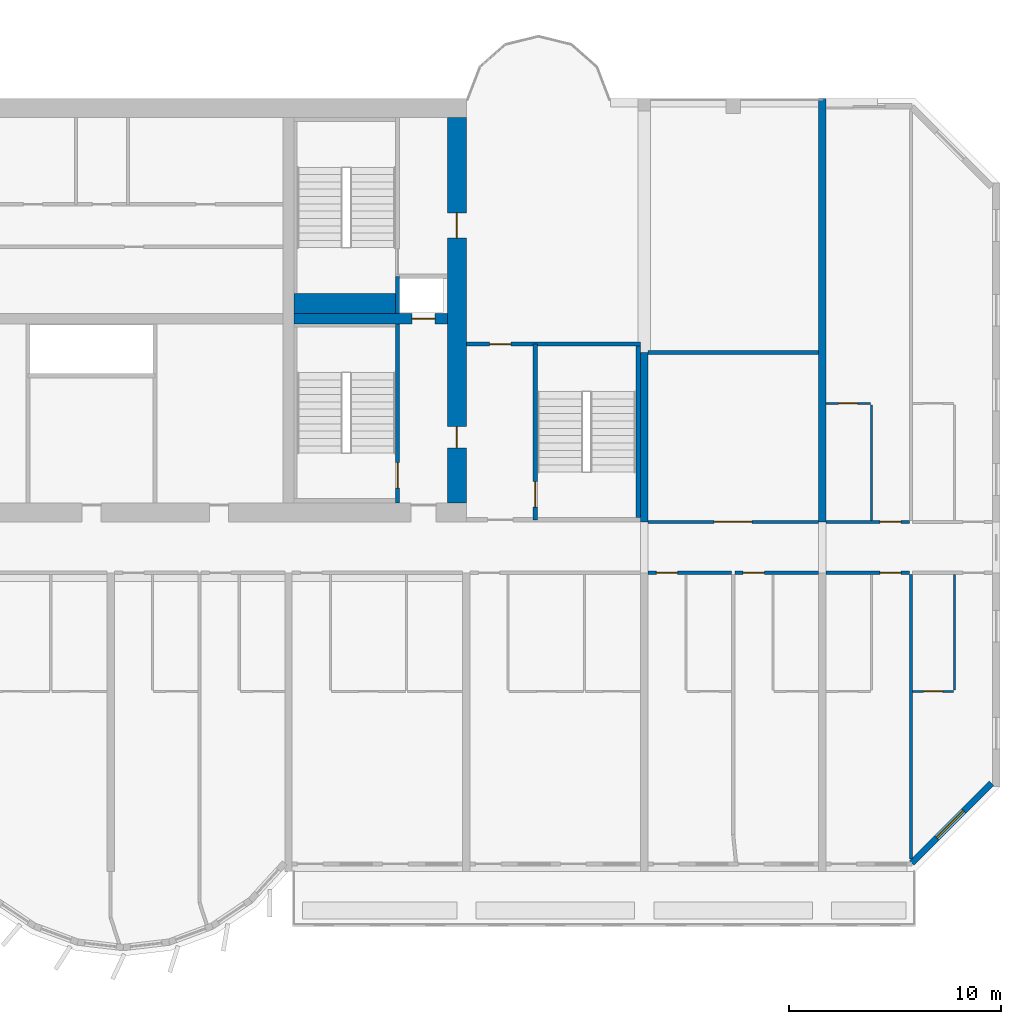
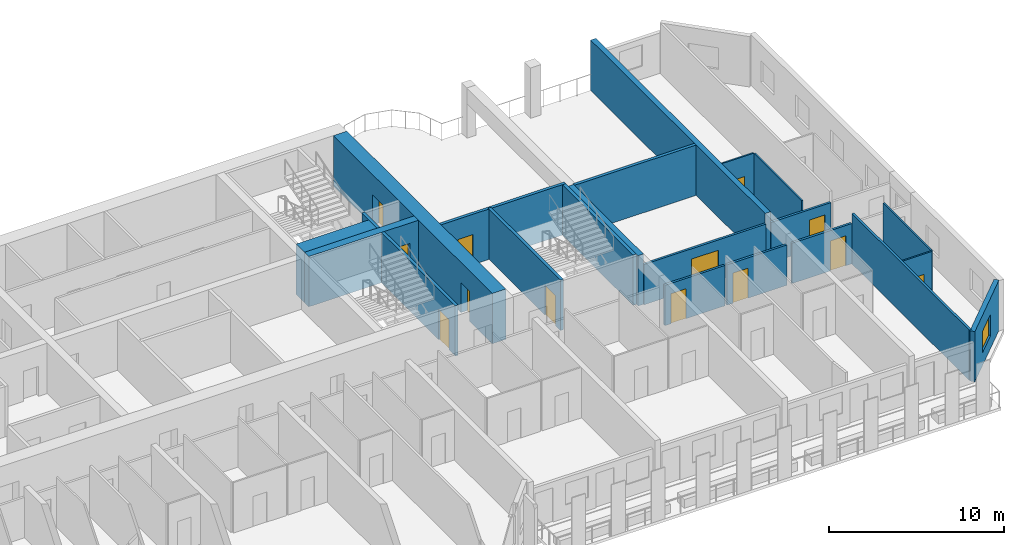
# One storey, part 10 of 15: 22 walls, 13 doors, 1 window, 14 openings.
"""IFC4 building model written with IfcOpenShell, lengths in metres."""

from ifc_helpers import new_model, si_unit, direction, frame, frame_2d, origin, place, context, subcontext, project, spatial, rectangle, extrude, source, transform, mapped, material, layer, layer_set, type_object, element, fill, save


model = new_model("IFC4")

# Units and contexts
model_context = context("Model", 3, precision=1e-05, world=origin(), true_north=direction((0.0, 1.0)))
body_context = subcontext(model_context, "Body", "Model", "MODEL_VIEW")
ifc_project = project(units=[si_unit("LENGTHUNIT", "METRE"), si_unit("AREAUNIT", "SQUARE_METRE"), si_unit("VOLUMEUNIT", "CUBIC_METRE"), si_unit("PLANEANGLEUNIT", "RADIAN"), si_unit("MASSUNIT", "GRAM", prefix="KILO")], contexts=[model_context])

# Site, building, storey
site_placement = place(None, origin())
site = spatial("IfcSite", under=ifc_project, at=site_placement, CompositionType="ELEMENT")
building_placement = place(site_placement, origin())
building = spatial("IfcBuilding", under=site, at=building_placement, Name="Vanashikhar Sky Hotel", CompositionType="ELEMENT")
storey_placement = place(building_placement, frame((0.0, 0.0, 106.60009765625)))
storey = spatial("IfcBuildingStorey", under=building, at=storey_placement, Name="L25", CompositionType="ELEMENT", Elevation=106.60009765625)

# Wall, openings, doors
ifc_material_1 = material(Name="Concrete M70", Category="concrete")
ifc_layer_1 = layer(ifc_material_1, 0.89990234375)
ifc_layer_set_1 = layer_set([ifc_layer_1], Name="RC core shell wall 900 Concrete M70")
wall_type_1 = type_object("IfcWallType", Name="RC core shell wall 900 Concrete M70", PredefinedType="SHEAR", material=ifc_layer_set_1)
shared_shape_1 = source(origin(), body_context, "Body", "SweptSolid", [
    extrude(rectangle(XDim=18.2001953125, YDim=0.89990234375, at=frame_2d((9.10009765625, 0.0))), origin(), (0.0, 0.0, 1.0), 3.52001953125),
])
wall_1_placement = place(storey_placement, frame((75.14990234375, 22.89990234375, 0.0), z_axis=(0.0, 0.0, 1.0), x_axis=(0.0, 1.0, 0.0)))
wall_1 = element("IfcWall", 1, at=wall_1_placement, inside=storey, type_object=wall_type_1, Name="KW-L25-KE", PredefinedType="SHEAR", context=body_context, shape_type="MappedRepresentation", body=[
    mapped(shared_shape_1, transform((0.0, 0.0, 0.0), scale=1.0)),
])
shared_shape_2 = source(origin(), body_context, "Body", "SweptSolid", [
    extrude(rectangle(XDim=1.0, YDim=2.10009765625, at=frame_2d((0.5, 1.050048828125))), frame((0.0, 0.4599609375, 0.0), z_axis=(0.0, -1.0, 0.0), x_axis=(1.0, 0.0, 0.0)), (0.0, 0.0, 1.0), 0.919921875),
])
opening_1_placement = place(wall_1_placement, frame((2.60009765625, 0.0, 0.0)))
opening_1 = element("IfcOpeningElement", 2, at=opening_1_placement, cuts=wall_1, Name="Opening DC-5", PredefinedType="OPENING", context=body_context, shape_type="MappedRepresentation", body=[
    mapped(shared_shape_2, transform((0.0, 0.0, 0.0), scale=1.0)),
])
shared_shape_3 = source(origin(), body_context, "Body", "SweptSolid", [
    extrude(rectangle(XDim=1.199951171875, YDim=2.10009765625, at=frame_2d((0.60009765625, 1.050048828125))), frame((0.0, 0.4599609375, 0.0), z_axis=(0.0, -1.0, 0.0), x_axis=(1.0, 0.0, 0.0)), (0.0, 0.0, 1.0), 0.919921875),
])
opening_2_placement = place(wall_1_placement, frame((12.5, 0.0, 0.0)))
opening_2 = element("IfcOpeningElement", 3, at=opening_2_placement, cuts=wall_1, Name="Opening DC-4-D", PredefinedType="OPENING", context=body_context, shape_type="MappedRepresentation", body=[
    mapped(shared_shape_3, transform((0.0, 0.0, 0.0), scale=1.0)),
])
ifc_material_2 = material(Name="Steel", Category="steel")
door_type_1 = type_object("IfcDoorType", Name="Refuge door 1000 FD120", OperationType="NOTDEFINED", PredefinedType="DOOR", material=ifc_material_2)
shared_shape_4 = source(origin(), body_context, "Body", "SweptSolid", [
    extrude(rectangle(XDim=1.0, YDim=2.10009765625, at=frame_2d((0.5, 1.050048828125))), frame((0.0, 0.02490234375, 0.0), z_axis=(0.0, -1.0, 0.0), x_axis=(1.0, 0.0, 0.0)), (0.0, 0.0, 1.0), 0.050048828125),
])
door_1_placement = place(opening_1_placement, origin())
door_1 = element("IfcDoor", 4, at=door_1_placement, inside=storey, type_object=door_type_1, Name="Refuge door 1000 FD120", OperationType="SINGLE_SWING_LEFT", OverallHeight=2.10009765625, OverallWidth=1.0, PredefinedType="DOOR", context=body_context, shape_type="MappedRepresentation", body=[
    mapped(shared_shape_4, transform((0.0, 0.0, 0.0), scale=1.0)),
])
fill(opening_1, door_1)
door_type_2 = type_object("IfcDoorType", Name="Service door 1200 FD120", OperationType="NOTDEFINED", PredefinedType="DOOR", material=ifc_material_2)
shared_shape_5 = source(origin(), body_context, "Body", "SweptSolid", [
    extrude(rectangle(XDim=1.199951171875, YDim=2.10009765625, at=frame_2d((0.60009765625, 1.050048828125))), frame((0.0, 0.02490234375, 0.0), z_axis=(0.0, -1.0, 0.0), x_axis=(1.0, 0.0, 0.0)), (0.0, 0.0, 1.0), 0.050048828125),
])
door_2_placement = place(opening_2_placement, origin())
door_2 = element("IfcDoor", 5, at=door_2_placement, inside=storey, type_object=door_type_2, Name="Service door 1200 FD120", OperationType="SINGLE_SWING_LEFT", OverallHeight=2.10009765625, OverallWidth=1.199951171875, PredefinedType="DOOR", context=body_context, shape_type="MappedRepresentation", body=[
    mapped(shared_shape_5, transform((0.0, 0.0, 0.0), scale=1.0)),
])
fill(opening_2, door_2)

# Wall, opening, door
ifc_layer_2 = layer(ifc_material_1, 0.5)
ifc_layer_set_2 = layer_set([ifc_layer_2], Name="RC core inner wall 500 Concrete M70")
wall_type_2 = type_object("IfcWallType", Name="RC core inner wall 500 Concrete M70", PredefinedType="SHEAR", material=ifc_layer_set_2)
shared_shape_6 = source(origin(), body_context, "Body", "SweptSolid", [
    extrude(rectangle(XDim=7.25, YDim=0.5, at=frame_2d((3.625, 0.0))), origin(), (0.0, 0.0, 1.0), 3.52001953125),
])
wall_2_placement = place(storey_placement, frame((67.449951171875, 31.60009765625, 0.0), z_axis=(0.0, 0.0, 1.0), x_axis=(1.0, 0.0, 0.0)))
wall_2 = element("IfcWall", 6, at=wall_2_placement, inside=storey, type_object=wall_type_2, Name="KW-L25-KY4", PredefinedType="SHEAR", context=body_context, shape_type="MappedRepresentation", body=[
    mapped(shared_shape_6, transform((0.0, 0.0, 0.0), scale=1.0)),
])
shared_shape_7 = source(origin(), body_context, "Body", "SweptSolid", [
    extrude(rectangle(XDim=1.10009765625, YDim=2.10009765625, at=frame_2d((0.550048828125, 1.050048828125))), frame((0.0, 0.260009765625, 0.0), z_axis=(0.0, -1.0, 0.0), x_axis=(1.0, 0.0, 0.0)), (0.0, 0.0, 1.0), 0.52001953125),
])
opening_3_placement = place(wall_2_placement, frame((5.574951171875, 0.0, 0.0)))
opening_3 = element("IfcOpeningElement", 7, at=opening_3_placement, cuts=wall_2, Name="Opening LD", PredefinedType="OPENING", context=body_context, shape_type="MappedRepresentation", body=[
    mapped(shared_shape_7, transform((0.0, 0.0, 0.0), scale=1.0)),
])
ifc_material_3 = material(Name="Stainless steel", Category="steel")
door_type_3 = type_object("IfcDoorType", Name="Lift landing door 1100", OperationType="NOTDEFINED", PredefinedType="DOOR", material=ifc_material_3)
shared_shape_8 = source(origin(), body_context, "Body", "SweptSolid", [
    extrude(rectangle(XDim=1.10009765625, YDim=2.10009765625, at=frame_2d((0.550048828125, 1.050048828125))), frame((0.0, 0.02490234375, 0.0), z_axis=(0.0, -1.0, 0.0), x_axis=(1.0, 0.0, 0.0)), (0.0, 0.0, 1.0), 0.050048828125),
])
door_3_placement = place(opening_3_placement, origin())
door_3 = element("IfcDoor", 8, at=door_3_placement, inside=storey, type_object=door_type_3, Name="Lift landing door 1100", OperationType="SLIDING_TO_RIGHT", OverallHeight=2.10009765625, OverallWidth=1.10009765625, PredefinedType="DOOR", context=body_context, shape_type="MappedRepresentation", body=[
    mapped(shared_shape_8, transform((0.0, 0.0, 0.0), scale=1.0)),
])
fill(opening_3, door_3)

# Walls
ifc_layer_3 = layer(ifc_material_1, 0.35009765625)
ifc_layer_set_3 = layer_set([ifc_layer_3], Name="RC shear wall 350 Concrete M70")
wall_type_3 = type_object("IfcWallType", Name="RC shear wall 350 Concrete M70", PredefinedType="SHEAR", material=ifc_layer_set_3)
shared_shape_9 = source(origin(), body_context, "Body", "SweptSolid", [
    extrude(rectangle(XDim=20.0, YDim=0.35009765625, at=frame_2d((10.0, 0.0))), origin(), (0.0, 0.0, 1.0), 3.52001953125),
])
wall_3_placement = place(storey_placement, frame((92.39990234375, 22.0, 0.0), z_axis=(0.0, 0.0, 1.0), x_axis=(0.0, 1.0, 0.0)))
element("IfcWall", 9, at=wall_3_placement, inside=storey, type_object=wall_type_3, Name="CW-L25-XW12-2", PredefinedType="SHEAR", context=body_context, shape_type="MappedRepresentation", body=[
    mapped(shared_shape_9, transform((0.0, 0.0, 0.0), scale=1.0)),
])
shared_shape_10 = source(origin(), body_context, "Body", "SweptSolid", [
    extrude(rectangle(XDim=8.0, YDim=0.35009765625, at=frame_2d((4.0, 0.0))), origin(), (0.0, 0.0, 1.0), 3.52001953125),
])
wall_4_placement = place(storey_placement, frame((84.0, 22.0, 0.0), z_axis=(0.0, 0.0, 1.0), x_axis=(0.0, 1.0, 0.0)))
element("IfcWall", 10, at=wall_4_placement, inside=storey, type_object=wall_type_3, Name="CW-L25-XW11-2", PredefinedType="SHEAR", context=body_context, shape_type="MappedRepresentation", body=[
    mapped(shared_shape_10, transform((0.0, 0.0, 0.0), scale=1.0)),
])

# Wall, opening, window
ifc_material_4 = material(Name="Concrete M50", Category="concrete")
ifc_layer_4 = layer(ifc_material_4, 0.300048828125)
ifc_layer_set_4 = layer_set([ifc_layer_4], Name="Lobe wall 300")
wall_type_4 = type_object("IfcWallType", Name="Lobe wall 300", PredefinedType="SOLIDWALL", material=ifc_layer_set_4)
shared_shape_11 = source(origin(), body_context, "Body", "SweptSolid", [
    extrude(rectangle(XDim=5.32568359375, YDim=0.300048828125, at=frame_2d((2.662841796875, 0.0))), origin(), (0.0, 0.0, 1.0), 3.52001953125),
])
wall_5_placement = place(storey_placement, frame((96.63427734375, 5.89990234375, 0.0), z_axis=(0.0, 0.0, 1.0), x_axis=(0.707083859269, 0.707129702361, 0.0)))
wall_5 = element("IfcWall", 11, at=wall_5_placement, inside=storey, type_object=wall_type_4, Name="Corner wall", PredefinedType="SOLIDWALL", context=body_context, shape_type="MappedRepresentation", body=[
    mapped(shared_shape_11, transform((0.0, 0.0, 0.0), scale=1.0)),
])
shared_shape_12 = source(origin(), body_context, "Body", "SweptSolid", [
    extrude(rectangle(XDim=1.800048828125, YDim=1.5, at=frame_2d((0.89990234375, 0.75))), frame((0.0, 0.16015625, 0.0), z_axis=(0.0, -1.0, 0.0), x_axis=(1.0, 0.0, 0.0)), (0.0, 0.0, 1.0), 0.320068359375),
])
opening_4_placement = place(wall_5_placement, frame((1.671875, 0.0, 0.89990234375)))
opening_4 = element("IfcOpeningElement", 12, at=opening_4_placement, cuts=wall_5, Name="Opening WN-4", PredefinedType="OPENING", context=body_context, shape_type="MappedRepresentation", body=[
    mapped(shared_shape_12, transform((0.0, 0.0, 0.0), scale=1.0)),
])
ifc_material_5 = material(Name="Glass", Category="glass")
window_type = type_object("IfcWindowType", Name="Corner window 1800 x 1500", PartitioningType="SINGLE_PANEL", PredefinedType="WINDOW", material=ifc_material_5)
shared_shape_13 = source(origin(), body_context, "Body", "SweptSolid", [
    extrude(rectangle(XDim=1.800048828125, YDim=1.5, at=frame_2d((0.89990234375, 0.75))), frame((0.0, 0.030029296875, 0.0), z_axis=(0.0, -1.0, 0.0), x_axis=(1.0, 0.0, 0.0)), (0.0, 0.0, 1.0), 0.06005859375),
])
window_placement = place(opening_4_placement, origin())
window = element("IfcWindow", 13, at=window_placement, inside=storey, type_object=window_type, Name="Window WN-4", OverallHeight=1.5, OverallWidth=1.800048828125, PartitioningType="SINGLE_PANEL", PredefinedType="WINDOW", context=body_context, shape_type="MappedRepresentation", body=[
    mapped(shared_shape_13, transform((0.0, 0.0, 0.0), scale=1.0)),
])
fill(opening_4, window)

# Wall, opening, door
ifc_layer_5 = layer(ifc_material_4, 0.199951171875)
ifc_layer_set_5 = layer_set([ifc_layer_5], Name="Stair wall 200")
wall_type_5 = type_object("IfcWallType", Name="Stair wall 200", PredefinedType="SOLIDWALL", material=ifc_layer_set_5)
shared_shape_14 = source(origin(), body_context, "Body", "SweptSolid", [
    extrude(rectangle(XDim=8.2998046875, YDim=0.199951171875, at=frame_2d((4.14990234375, 0.0))), origin(), (0.0, 0.0, 1.0), 3.52001953125),
])
wall_6_placement = place(storey_placement, frame((78.85009765625, 22.10009765625, 0.0), z_axis=(0.0, 0.0, 1.0), x_axis=(0.0, 1.0, 0.0)))
wall_6 = element("IfcWall", 14, at=wall_6_placement, inside=storey, type_object=wall_type_5, Name="Stair wall 200", PredefinedType="SOLIDWALL", context=body_context, shape_type="MappedRepresentation", body=[
    mapped(shared_shape_14, transform((0.0, 0.0, 0.0), scale=1.0)),
])
shared_shape_15 = source(origin(), body_context, "Body", "SweptSolid", [
    extrude(rectangle(XDim=1.199951171875, YDim=2.10009765625, at=frame_2d((0.60009765625, 1.050048828125))), frame((0.0, 0.10986328125, 0.0), z_axis=(0.0, -1.0, 0.0), x_axis=(1.0, 0.0, 0.0)), (0.0, 0.0, 1.0), 0.219970703125),
])
opening_5_placement = place(wall_6_placement, frame((0.60009765625, 0.0, 0.0)))
opening_5 = element("IfcOpeningElement", 15, at=opening_5_placement, cuts=wall_6, Name="Opening DC-1", PredefinedType="OPENING", context=body_context, shape_type="MappedRepresentation", body=[
    mapped(shared_shape_15, transform((0.0, 0.0, 0.0), scale=1.0)),
])
door_type_4 = type_object("IfcDoorType", Name="Stair door 1200 FD120", OperationType="NOTDEFINED", PredefinedType="DOOR", material=ifc_material_2)
door_4_placement = place(opening_5_placement, origin())
door_4 = element("IfcDoor", 16, at=door_4_placement, inside=storey, type_object=door_type_4, Name="Stair door 1200 FD120", OperationType="SINGLE_SWING_RIGHT", OverallHeight=2.10009765625, OverallWidth=1.199951171875, PredefinedType="DOOR", context=body_context, shape_type="MappedRepresentation", body=[
    mapped(shared_shape_5, transform((0.0, 0.0, 0.0), scale=1.0)),
])
fill(opening_5, door_4)

shared_shape_16 = source(origin(), body_context, "Body", "SweptSolid", [
    extrude(rectangle(XDim=8.4501953125, YDim=0.199951171875, at=frame_2d((4.22509765625, 0.0))), origin(), (0.0, 0.0, 1.0), 3.52001953125),
])
wall_7_placement = place(storey_placement, frame((72.35009765625, 22.89990234375, 0.0), z_axis=(0.0, 0.0, 1.0), x_axis=(0.0, 1.0, 0.0)))
wall_7 = element("IfcWall", 17, at=wall_7_placement, inside=storey, type_object=wall_type_5, Name="Stair wall 200", PredefinedType="SOLIDWALL", context=body_context, shape_type="MappedRepresentation", body=[
    mapped(shared_shape_16, transform((0.0, 0.0, 0.0), scale=1.0)),
])
opening_6_placement = place(wall_7_placement, frame((0.699951171875, 0.0, 0.0)))
opening_6 = element("IfcOpeningElement", 18, at=opening_6_placement, cuts=wall_7, Name="Opening DC-1", PredefinedType="OPENING", context=body_context, shape_type="MappedRepresentation", body=[
    mapped(shared_shape_15, transform((0.0, 0.0, 0.0), scale=1.0)),
])
door_5_placement = place(opening_6_placement, origin())
door_5 = element("IfcDoor", 19, at=door_5_placement, inside=storey, type_object=door_type_4, Name="Stair door 1200 FD120", OperationType="SINGLE_SWING_RIGHT", OverallHeight=2.10009765625, OverallWidth=1.199951171875, PredefinedType="DOOR", context=body_context, shape_type="MappedRepresentation", body=[
    mapped(shared_shape_5, transform((0.0, 0.0, 0.0), scale=1.0)),
])
fill(opening_6, door_5)

# Wall
ifc_material_6 = material(Name="Concrete M40", Category="concrete")
ifc_layer_6 = layer(ifc_material_6, 0.199951171875)
ifc_layer_set_6 = layer_set([ifc_layer_6], Name="Shaft wall 200")
wall_type_6 = type_object("IfcWallType", Name="Shaft wall 200", PredefinedType="SOLIDWALL", material=ifc_layer_set_6)
shared_shape_17 = source(origin(), body_context, "Body", "SweptSolid", [
    extrude(rectangle(XDim=1.75, YDim=0.199951171875, at=frame_2d((0.875, 0.0))), origin(), (0.0, 0.0, 1.0), 3.52001953125),
])
wall_8_placement = place(storey_placement, frame((72.35009765625, 31.85009765625, 0.0), z_axis=(0.0, 0.0, 1.0), x_axis=(0.0, 1.0, 0.0)))
element("IfcWall", 20, at=wall_8_placement, inside=storey, type_object=wall_type_6, Name="Shaft wall 200", PredefinedType="SOLIDWALL", context=body_context, shape_type="MappedRepresentation", body=[
    mapped(shared_shape_17, transform((0.0, 0.0, 0.0), scale=1.0)),
])

# Wall, opening, door
shared_shape_18 = source(origin(), body_context, "Body", "SweptSolid", [
    extrude(rectangle(XDim=8.224853515625, YDim=0.199951171875, at=frame_2d((4.1123046875, 0.0))), origin(), (0.0, 0.0, 1.0), 3.52001953125),
])
wall_9_placement = place(storey_placement, frame((83.824951171875, 30.39990234375, 0.0), z_axis=(0.0, 0.0, 1.0), x_axis=(-1.0, 0.0, 0.0)))
wall_9 = element("IfcWall", 21, at=wall_9_placement, inside=storey, type_object=wall_type_5, Name="Stair wall 200", PredefinedType="SOLIDWALL", context=body_context, shape_type="MappedRepresentation", body=[
    mapped(shared_shape_18, transform((0.0, 0.0, 0.0), scale=1.0)),
])
shared_shape_19 = source(origin(), body_context, "Body", "SweptSolid", [
    extrude(rectangle(XDim=1.0, YDim=2.10009765625, at=frame_2d((0.5, 1.050048828125))), frame((0.0, 0.10986328125, 0.0), z_axis=(0.0, -1.0, 0.0), x_axis=(1.0, 0.0, 0.0)), (0.0, 0.0, 1.0), 0.219970703125),
])
opening_7_placement = place(wall_9_placement, frame((6.125, 0.0, 0.0)))
opening_7 = element("IfcOpeningElement", 22, at=opening_7_placement, cuts=wall_9, Name="Opening DC-6", PredefinedType="OPENING", context=body_context, shape_type="MappedRepresentation", body=[
    mapped(shared_shape_19, transform((0.0, 0.0, 0.0), scale=1.0)),
])
door_type_5 = type_object("IfcDoorType", Name="Pocket door 1000 FD60", OperationType="NOTDEFINED", PredefinedType="DOOR", material=ifc_material_2)
door_6_placement = place(opening_7_placement, origin())
door_6 = element("IfcDoor", 23, at=door_6_placement, inside=storey, type_object=door_type_5, Name="Pocket door 1000 FD60", OperationType="SINGLE_SWING_LEFT", OverallHeight=2.10009765625, OverallWidth=1.0, PredefinedType="DOOR", context=body_context, shape_type="MappedRepresentation", body=[
    mapped(shared_shape_4, transform((0.0, 0.0, 0.0), scale=1.0)),
])
fill(opening_7, door_6)

# Walls
ifc_layer_7 = layer(ifc_material_4, 0.22509765625)
ifc_layer_set_7 = layer_set([ifc_layer_7], Name="Stair infill wall 225")
wall_type_7 = type_object("IfcWallType", Name="Stair infill wall 225", PredefinedType="SOLIDWALL", material=ifc_layer_set_7)
shared_shape_20 = source(origin(), body_context, "Body", "SweptSolid", [
    extrude(rectangle(XDim=8.10009765625, YDim=0.22509765625, at=frame_2d((4.050048828125, 0.0))), origin(), (0.0, 0.0, 1.0), 3.52001953125),
])
wall_10_placement = place(storey_placement, frame((83.712890625, 22.199951171875, 0.0), z_axis=(0.0, 0.0, 1.0), x_axis=(0.0, 1.0, 0.0)))
element("IfcWall", 24, at=wall_10_placement, inside=storey, type_object=wall_type_7, Name="Stair infill wall 225", PredefinedType="SOLIDWALL", context=body_context, shape_type="MappedRepresentation", body=[
    mapped(shared_shape_20, transform((0.0, 0.0, 0.0), scale=1.0)),
])
ifc_layer_8 = layer(ifc_material_4, 0.949951171875)
ifc_layer_set_8 = layer_set([ifc_layer_8], Name="Stair infill wall 950")
wall_type_8 = type_object("IfcWallType", Name="Stair infill wall 950", PredefinedType="SOLIDWALL", material=ifc_layer_set_8)
shared_shape_21 = source(origin(), body_context, "Body", "SweptSolid", [
    extrude(rectangle(XDim=4.800048828125, YDim=0.949951171875, at=frame_2d((2.39990234375, 0.0))), origin(), (0.0, 0.0, 1.0), 3.52001953125),
])
wall_11_placement = place(storey_placement, frame((67.449951171875, 32.324951171875, 0.0), z_axis=(0.0, 0.0, 1.0), x_axis=(1.0, 0.0, 0.0)))
element("IfcWall", 25, at=wall_11_placement, inside=storey, type_object=wall_type_8, Name="Stair infill wall 950", PredefinedType="SOLIDWALL", context=body_context, shape_type="MappedRepresentation", body=[
    mapped(shared_shape_21, transform((0.0, 0.0, 0.0), scale=1.0)),
])
ifc_material_7 = material(Name="Gypsum plasterboard partition")
ifc_layer_9 = layer(ifc_material_7, 0.10009765625)
ifc_layer_set_9 = layer_set([ifc_layer_9], Name="Wet room partition 100")
wall_type_9 = type_object("IfcWallType", Name="Wet room partition 100", PredefinedType="PARTITIONING", material=ifc_layer_set_9)
shared_shape_22 = source(origin(), body_context, "Body", "SweptSolid", [
    extrude(rectangle(XDim=5.449951171875, YDim=0.10009765625, at=frame_2d((2.72509765625, 0.0))), origin(), (0.0, 0.0, 1.0), 3.52001953125),
])
for number, where, z_axis, x_axis, name in (
    (26, (98.64990234375, 14.074951171875, 0.0), (0.0, 0.0, 1.0), (0.0, 1.0, 0.0), "W-L25-PW075"),
    (27, (94.72509765625, 22.074951171875, 0.0), (0.0, 0.0, 1.0), (0.0, 1.0, 0.0), "W-L25-PW097"),
):
    element("IfcWall", number, at=place(storey_placement, frame(where, z_axis=z_axis, x_axis=x_axis)), inside=storey, type_object=wall_type_9, Name=name, PredefinedType="PARTITIONING", context=body_context, shape_type="MappedRepresentation", body=[
        mapped(shared_shape_22, transform((0.0, 0.0, 0.0), scale=1.0)),
    ])

# Wall, opening, door
shared_shape_23 = source(origin(), body_context, "Body", "SweptSolid", [
    extrude(rectangle(XDim=1.925048828125, YDim=0.10009765625, at=frame_2d((0.96240234375, 0.0))), origin(), (0.0, 0.0, 1.0), 3.52001953125),
])
wall_12_placement = place(storey_placement, frame((96.675048828125, 14.0, 0.0), z_axis=(0.0, 0.0, 1.0), x_axis=(1.0, 0.0, 0.0)))
wall_12 = element("IfcWall", 28, at=wall_12_placement, inside=storey, type_object=wall_type_9, Name="W-L25-PW076", PredefinedType="PARTITIONING", context=body_context, shape_type="MappedRepresentation", body=[
    mapped(shared_shape_23, transform((0.0, 0.0, 0.0), scale=1.0)),
])
shared_shape_24 = source(origin(), body_context, "Body", "SweptSolid", [
    extrude(rectangle(XDim=0.89990234375, YDim=2.10009765625, at=frame_2d((0.449951171875, 1.050048828125))), frame((0.0, 0.06005859375, 0.0), z_axis=(0.0, -1.0, 0.0), x_axis=(1.0, 0.0, 0.0)), (0.0, 0.0, 1.0), 0.1201171875),
])
opening_8_placement = place(wall_12_placement, frame((0.512939453125, 0.0, 0.0)))
opening_8 = element("IfcOpeningElement", 29, at=opening_8_placement, cuts=wall_12, Name="Opening D-02", PredefinedType="OPENING", context=body_context, shape_type="MappedRepresentation", body=[
    mapped(shared_shape_24, transform((0.0, 0.0, 0.0), scale=1.0)),
])
ifc_material_8 = material(Name="Timber door", Category="wood")
door_type_6 = type_object("IfcDoorType", Name="Internal door 900", OperationType="NOTDEFINED", PredefinedType="DOOR", material=ifc_material_8)
shared_shape_25 = source(origin(), body_context, "Body", "SweptSolid", [
    extrude(rectangle(XDim=0.89990234375, YDim=2.10009765625, at=frame_2d((0.449951171875, 1.050048828125))), frame((0.0, 0.02490234375, 0.0), z_axis=(0.0, -1.0, 0.0), x_axis=(1.0, 0.0, 0.0)), (0.0, 0.0, 1.0), 0.050048828125),
])
door_7_placement = place(opening_8_placement, origin())
door_7 = element("IfcDoor", 30, at=door_7_placement, inside=storey, type_object=door_type_6, Name="D-L25-044", OperationType="SINGLE_SWING_RIGHT", OverallHeight=2.10009765625, OverallWidth=0.89990234375, PredefinedType="DOOR", context=body_context, shape_type="MappedRepresentation", body=[
    mapped(shared_shape_25, transform((0.0, 0.0, 0.0), scale=1.0)),
])
fill(opening_8, door_7)

shared_shape_26 = source(origin(), body_context, "Body", "SweptSolid", [
    extrude(rectangle(XDim=2.10009765625, YDim=0.10009765625, at=frame_2d((1.050048828125, 0.0))), origin(), (0.0, 0.0, 1.0), 3.52001953125),
])
wall_13_placement = place(storey_placement, frame((92.574951171875, 27.60009765625, 0.0), z_axis=(0.0, 0.0, 1.0), x_axis=(1.0, 0.0, 0.0)))
wall_13 = element("IfcWall", 31, at=wall_13_placement, inside=storey, type_object=wall_type_9, Name="W-L25-PW098", PredefinedType="PARTITIONING", context=body_context, shape_type="MappedRepresentation", body=[
    mapped(shared_shape_26, transform((0.0, 0.0, 0.0), scale=1.0)),
])
opening_9_placement = place(wall_13_placement, frame((0.60009765625, 0.0, 0.0)))
opening_9 = element("IfcOpeningElement", 32, at=opening_9_placement, cuts=wall_13, Name="Opening D-02", PredefinedType="OPENING", context=body_context, shape_type="MappedRepresentation", body=[
    mapped(shared_shape_24, transform((0.0, 0.0, 0.0), scale=1.0)),
])
door_8_placement = place(opening_9_placement, origin())
door_8 = element("IfcDoor", 33, at=door_8_placement, inside=storey, type_object=door_type_6, Name="D-L25-055", OperationType="SINGLE_SWING_RIGHT", OverallHeight=2.10009765625, OverallWidth=0.89990234375, PredefinedType="DOOR", context=body_context, shape_type="MappedRepresentation", body=[
    mapped(shared_shape_25, transform((0.0, 0.0, 0.0), scale=1.0)),
])
fill(opening_9, door_8)

# Walls
ifc_layer_10 = layer(ifc_material_7, 0.14990234375)
ifc_layer_set_10 = layer_set([ifc_layer_10], Name="Corridor and demising partition 150")
wall_type_10 = type_object("IfcWallType", Name="Corridor and demising partition 150", PredefinedType="PARTITIONING", material=ifc_layer_set_10)
shared_shape_27 = source(origin(), body_context, "Body", "SweptSolid", [
    extrude(rectangle(XDim=13.447021484375, YDim=0.14990234375, at=frame_2d((6.7236328125, 0.0))), origin(), (0.0, 0.0, 1.0), 3.52001953125),
])
wall_14_placement = place(storey_placement, frame((96.60009765625, 6.077880859375, 0.0), z_axis=(0.0, 0.0, 1.0), x_axis=(0.0, 1.0, 0.0)))
element("IfcWall", 34, at=wall_14_placement, inside=storey, type_object=wall_type_10, Name="W-L25-PW078", PredefinedType="PARTITIONING", context=body_context, shape_type="MappedRepresentation", body=[
    mapped(shared_shape_27, transform((0.0, 0.0, 0.0), scale=1.0)),
])
ifc_material_9 = material(Name="Masonry partition", Category="masonry")
ifc_layer_11 = layer(ifc_material_9, 0.199951171875)
ifc_layer_set_11 = layer_set([ifc_layer_11], Name="Refuge enclosure wall 200")
wall_type_11 = type_object("IfcWallType", Name="Refuge enclosure wall 200", PredefinedType="PARTITIONING", material=ifc_layer_set_11)
shared_shape_28 = source(origin(), body_context, "Body", "SweptSolid", [
    extrude(rectangle(XDim=8.050048828125, YDim=0.199951171875, at=frame_2d((4.02490234375, 0.0))), origin(), (0.0, 0.0, 1.0), 3.52001953125),
])
wall_15_placement = place(storey_placement, frame((84.175048828125, 30.0, 0.0), z_axis=(0.0, 0.0, 1.0), x_axis=(1.0, 0.0, 0.0)))
element("IfcWall", 35, at=wall_15_placement, inside=storey, type_object=wall_type_11, Name="W-L25-PW096", PredefinedType="PARTITIONING", context=body_context, shape_type="MappedRepresentation", body=[
    mapped(shared_shape_28, transform((0.0, 0.0, 0.0), scale=1.0)),
])

# Wall, opening, door
shared_shape_29 = source(origin(), body_context, "Body", "SweptSolid", [
    extrude(rectangle(XDim=3.9501953125, YDim=0.14990234375, at=frame_2d((1.97509765625, 0.0))), origin(), (0.0, 0.0, 1.0), 2.81982421875),
])
wall_16_placement = place(storey_placement, frame((88.27490234375, 19.60009765625, 0.0), z_axis=(0.0, 0.0, 1.0), x_axis=(1.0, 0.0, 0.0)))
wall_16 = element("IfcWall", 36, at=wall_16_placement, inside=storey, type_object=wall_type_10, Name="W-L25-PW070", PredefinedType="PARTITIONING", context=body_context, shape_type="MappedRepresentation", body=[
    mapped(shared_shape_29, transform((0.0, 0.0, 0.0), scale=1.0)),
])
shared_shape_30 = source(origin(), body_context, "Body", "SweptSolid", [
    extrude(rectangle(XDim=1.0, YDim=2.10009765625, at=frame_2d((0.5, 1.050048828125))), frame((0.0, 0.0849609375, 0.0), z_axis=(0.0, -1.0, 0.0), x_axis=(1.0, 0.0, 0.0)), (0.0, 0.0, 1.0), 0.169921875),
])
opening_10_placement = place(wall_16_placement, frame((0.39990234375, 0.0, 0.0)))
opening_10 = element("IfcOpeningElement", 37, at=opening_10_placement, cuts=wall_16, Name="Opening D-01", PredefinedType="OPENING", context=body_context, shape_type="MappedRepresentation", body=[
    mapped(shared_shape_30, transform((0.0, 0.0, 0.0), scale=1.0)),
])
ifc_material_10 = material(Name="Timber fire door", Category="wood")
door_type_7 = type_object("IfcDoorType", Name="Guest entry door 1000 FD30S", OperationType="NOTDEFINED", PredefinedType="DOOR", material=ifc_material_10)
door_9_placement = place(opening_10_placement, origin())
door_9 = element("IfcDoor", 38, at=door_9_placement, inside=storey, type_object=door_type_7, Name="D-L25-041", OperationType="SINGLE_SWING_LEFT", OverallHeight=2.10009765625, OverallWidth=1.0, PredefinedType="DOOR", context=body_context, shape_type="MappedRepresentation", body=[
    mapped(shared_shape_4, transform((0.0, 0.0, 0.0), scale=1.0)),
])
fill(opening_10, door_9)

shared_shape_31 = source(origin(), body_context, "Body", "SweptSolid", [
    extrude(rectangle(XDim=3.949951171875, YDim=0.14990234375, at=frame_2d((1.97509765625, 0.0))), origin(), (0.0, 0.0, 1.0), 2.81982421875),
])
wall_17_placement = place(storey_placement, frame((84.175048828125, 19.60009765625, 0.0), z_axis=(0.0, 0.0, 1.0), x_axis=(1.0, 0.0, 0.0)))
wall_17 = element("IfcWall", 39, at=wall_17_placement, inside=storey, type_object=wall_type_10, Name="W-L25-PW067", PredefinedType="PARTITIONING", context=body_context, shape_type="MappedRepresentation", body=[
    mapped(shared_shape_31, transform((0.0, 0.0, 0.0), scale=1.0)),
])
opening_11_placement = place(wall_17_placement, frame((0.39990234375, 0.0, 0.0)))
opening_11 = element("IfcOpeningElement", 40, at=opening_11_placement, cuts=wall_17, Name="Opening D-01", PredefinedType="OPENING", context=body_context, shape_type="MappedRepresentation", body=[
    mapped(shared_shape_30, transform((0.0, 0.0, 0.0), scale=1.0)),
])
door_10_placement = place(opening_11_placement, origin())
door_10 = element("IfcDoor", 41, at=door_10_placement, inside=storey, type_object=door_type_7, Name="D-L25-039", OperationType="SINGLE_SWING_LEFT", OverallHeight=2.10009765625, OverallWidth=1.0, PredefinedType="DOOR", context=body_context, shape_type="MappedRepresentation", body=[
    mapped(shared_shape_4, transform((0.0, 0.0, 0.0), scale=1.0)),
])
fill(opening_11, door_10)

wall_18_placement = place(storey_placement, frame((92.574951171875, 19.60009765625, 0.0), z_axis=(0.0, 0.0, 1.0), x_axis=(1.0, 0.0, 0.0)))
wall_18 = element("IfcWall", 42, at=wall_18_placement, inside=storey, type_object=wall_type_10, Name="W-L25-PW074", PredefinedType="PARTITIONING", context=body_context, shape_type="MappedRepresentation", body=[
    mapped(shared_shape_31, transform((0.0, 0.0, 0.0), scale=1.0)),
])
opening_12_placement = place(wall_18_placement, frame((2.550048828125, 0.0, 0.0)))
opening_12 = element("IfcOpeningElement", 43, at=opening_12_placement, cuts=wall_18, Name="Opening D-01", PredefinedType="OPENING", context=body_context, shape_type="MappedRepresentation", body=[
    mapped(shared_shape_30, transform((0.0, 0.0, 0.0), scale=1.0)),
])
door_11_placement = place(opening_12_placement, origin())
door_11 = element("IfcDoor", 44, at=door_11_placement, inside=storey, type_object=door_type_7, Name="D-L25-043", OperationType="SINGLE_SWING_RIGHT", OverallHeight=2.10009765625, OverallWidth=1.0, PredefinedType="DOOR", context=body_context, shape_type="MappedRepresentation", body=[
    mapped(shared_shape_4, transform((0.0, 0.0, 0.0), scale=1.0)),
])
fill(opening_12, door_11)

wall_19_placement = place(storey_placement, frame((92.574951171875, 22.0, 0.0), z_axis=(0.0, 0.0, 1.0), x_axis=(1.0, 0.0, 0.0)))
wall_19 = element("IfcWall", 45, at=wall_19_placement, inside=storey, type_object=wall_type_10, Name="W-L25-PW099", PredefinedType="PARTITIONING", context=body_context, shape_type="MappedRepresentation", body=[
    mapped(shared_shape_31, transform((0.0, 0.0, 0.0), scale=1.0)),
])
opening_13_placement = place(wall_19_placement, frame((2.550048828125, 0.0, 0.0)))
opening_13 = element("IfcOpeningElement", 46, at=opening_13_placement, cuts=wall_19, Name="Opening D-01", PredefinedType="OPENING", context=body_context, shape_type="MappedRepresentation", body=[
    mapped(shared_shape_30, transform((0.0, 0.0, 0.0), scale=1.0)),
])
door_12_placement = place(opening_13_placement, origin())
door_12 = element("IfcDoor", 47, at=door_12_placement, inside=storey, type_object=door_type_7, Name="D-L25-056", OperationType="SINGLE_SWING_RIGHT", OverallHeight=2.10009765625, OverallWidth=1.0, PredefinedType="DOOR", context=body_context, shape_type="MappedRepresentation", body=[
    mapped(shared_shape_4, transform((0.0, 0.0, 0.0), scale=1.0)),
])
fill(opening_13, door_12)

shared_shape_32 = source(origin(), body_context, "Body", "SweptSolid", [
    extrude(rectangle(XDim=8.050048828125, YDim=0.14990234375, at=frame_2d((4.02490234375, 0.0))), origin(), (0.0, 0.0, 1.0), 2.81982421875),
])
wall_20_placement = place(storey_placement, frame((84.175048828125, 22.0, 0.0), z_axis=(0.0, 0.0, 1.0), x_axis=(1.0, 0.0, 0.0)))
wall_20 = element("IfcWall", 48, at=wall_20_placement, inside=storey, type_object=wall_type_10, Name="W-L25-PW095", PredefinedType="PARTITIONING", context=body_context, shape_type="MappedRepresentation", body=[
    mapped(shared_shape_32, transform((0.0, 0.0, 0.0), scale=1.0)),
])
shared_shape_33 = source(origin(), body_context, "Body", "SweptSolid", [
    extrude(rectangle(XDim=1.800048828125, YDim=2.10009765625, at=frame_2d((0.89990234375, 1.050048828125))), frame((0.0, 0.0849609375, 0.0), z_axis=(0.0, -1.0, 0.0), x_axis=(1.0, 0.0, 0.0)), (0.0, 0.0, 1.0), 0.169921875),
])
opening_14_placement = place(wall_20_placement, frame((3.125, 0.0, 0.0)))
opening_14 = element("IfcOpeningElement", 49, at=opening_14_placement, cuts=wall_20, Name="Opening D-03", PredefinedType="OPENING", context=body_context, shape_type="MappedRepresentation", body=[
    mapped(shared_shape_33, transform((0.0, 0.0, 0.0), scale=1.0)),
])
door_type_8 = type_object("IfcDoorType", Name="Double leaf door 1800 FD30S", OperationType="NOTDEFINED", PredefinedType="DOOR", material=ifc_material_10)
shared_shape_34 = source(origin(), body_context, "Body", "SweptSolid", [
    extrude(rectangle(XDim=1.800048828125, YDim=2.10009765625, at=frame_2d((0.89990234375, 1.050048828125))), frame((0.0, 0.02490234375, 0.0), z_axis=(0.0, -1.0, 0.0), x_axis=(1.0, 0.0, 0.0)), (0.0, 0.0, 1.0), 0.050048828125),
])
door_13_placement = place(opening_14_placement, origin())
door_13 = element("IfcDoor", 50, at=door_13_placement, inside=storey, type_object=door_type_8, Name="D-L25-054", OperationType="DOUBLE_DOOR_SINGLE_SWING", OverallHeight=2.10009765625, OverallWidth=1.800048828125, PredefinedType="DOOR", context=body_context, shape_type="MappedRepresentation", body=[
    mapped(shared_shape_34, transform((0.0, 0.0, 0.0), scale=1.0)),
])
fill(opening_14, door_13)

save(model, "model.ifc")
